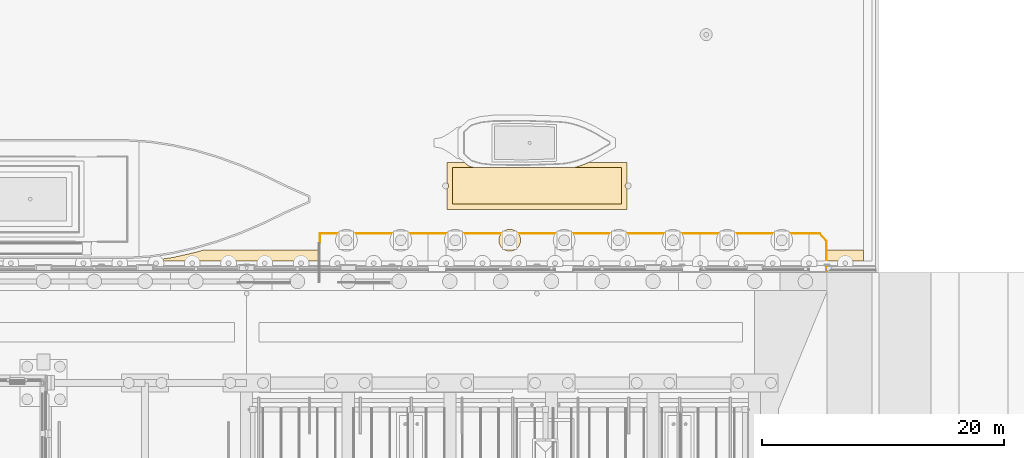
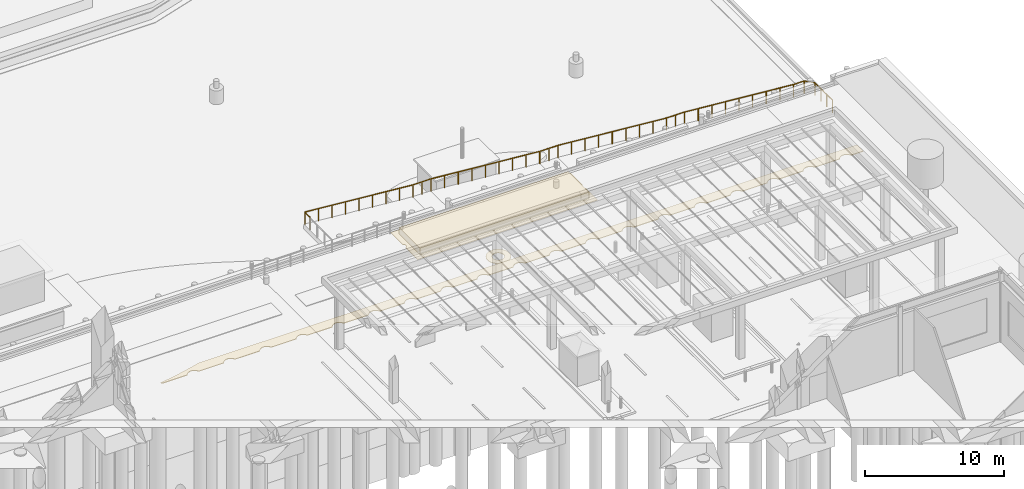
# One storey, part 202 of 222: 4 coverings, 1 railing.
"""IFC4 building model written with IfcOpenShell, lengths in metres."""

from ifc_helpers import new_model, si_unit, direction, frame, origin, origin_2d, place, context, subcontext, project, spatial, polyline, circle, outline, extrude, material, layer, layer_set, type_object, element, save


model = new_model("IFC4")

# Units and contexts
model_context = context("Model", 3, precision=1e-05, world=origin(), true_north=direction((0.0, 1.0)))
body_context = subcontext(model_context, "Body", "Model", "MODEL_VIEW")
ifc_project = project(units=[si_unit("LENGTHUNIT", "METRE"), si_unit("AREAUNIT", "SQUARE_METRE"), si_unit("VOLUMEUNIT", "CUBIC_METRE"), si_unit("PLANEANGLEUNIT", "RADIAN"), si_unit("MASSUNIT", "GRAM", prefix="KILO")], contexts=[model_context])

# Site, building, storey
site_placement = place(None, origin())
site = spatial("IfcSite", under=ifc_project, at=site_placement, CompositionType="ELEMENT")
building_placement = place(site_placement, origin())
building = spatial("IfcBuilding", under=site, at=building_placement, Name="Sava Quay Ferry Terminal", CompositionType="ELEMENT")
storey_placement = place(building_placement, origin())
storey = spatial("IfcBuildingStorey", under=building, at=storey_placement, Name="L00", CompositionType="ELEMENT", Elevation=0.0)

# Railing
ifc_material_1 = material(Name="Steel S355", Category="steel")
railing_type = type_object("IfcRailingType", Name="Edge guard 1100", PredefinedType="GUARDRAIL", material=ifc_material_1)
railing_placement = place(storey_placement, frame((132.050048828125, 120.800048828125, 0.0)))
element("IfcRailing", 1, at=railing_placement, inside=storey, type_object=railing_type, Name="Quay ramp river-side guard", PredefinedType="GUARDRAIL", context=body_context, shape_type="SweptSolid", body=[
    extrude(circle(Radius=0.02392578125, at=origin_2d()), frame((0.0, 0.0, 1.076171875), z_axis=(0.0, 1.0, 0.0), x_axis=(-1.0, 0.0, 0.0)), (0.0, 0.0, 1.0), 0.75),
    extrude(circle(Radius=0.02392578125, at=origin_2d()), frame((0.0, 0.75, 1.076171875), z_axis=(0.99650722018, 0.0, -0.083506647219), x_axis=(0.0, 1.0, 0.0)), (0.0, 0.0, 1.0), 8.981201171875),
    extrude(circle(Radius=0.02392578125, at=origin_2d()), frame((8.949951171875, 0.75, 0.326171875), z_axis=(1.0, 0.0, 0.0), x_axis=(0.0, 1.0, 0.0)), (0.0, 0.0, 1.0), 1.5),
    extrude(circle(Radius=0.02392578125, at=origin_2d()), frame((10.449951171875, 0.75, 0.326171875), z_axis=(0.996545758245, 0.0, -0.083045479854), x_axis=(0.0, 1.0, 0.0)), (0.0, 0.0, 1.0), 9.03125),
    extrude(circle(Radius=0.02392578125, at=origin_2d()), frame((19.449951171875, 0.75, -0.423828125), z_axis=(1.0, 0.0, 0.0), x_axis=(0.0, 1.0, 0.0)), (0.0, 0.0, 1.0), 1.5),
    extrude(circle(Radius=0.02392578125, at=origin_2d()), frame((20.949951171875, 0.75, -0.423828125), z_axis=(0.996545758245, 0.0, -0.083045479854), x_axis=(0.0, 1.0, 0.0)), (0.0, 0.0, 1.0), 9.03125),
    extrude(circle(Radius=0.02392578125, at=origin_2d()), frame((29.949951171875, 0.75, -1.173828125), z_axis=(1.0, 0.0, 0.0), x_axis=(0.0, 1.0, 0.0)), (0.0, 0.0, 1.0), 1.5),
    extrude(circle(Radius=0.02392578125, at=origin_2d()), frame((31.449951171875, 0.75, -1.173828125), z_axis=(0.996545758245, 0.0, -0.083045479854), x_axis=(0.0, 1.0, 0.0)), (0.0, 0.0, 1.0), 9.03125),
    extrude(circle(Radius=0.02392578125, at=origin_2d()), frame((40.449951171875, 0.75, -1.923828125), z_axis=(1.0, 0.0, 0.0), x_axis=(0.0, 1.0, 0.0)), (0.0, 0.0, 1.0), 0.89990234375),
    extrude(circle(Radius=0.02392578125, at=origin_2d()), frame((41.349853515625, 0.75, -1.923828125), z_axis=(0.675697466389, -0.737179037898, 0.0), x_axis=(0.737179037898, 0.675697466389, 0.0)), (0.0, 0.0, 1.0), 0.81396484375),
    extrude(circle(Radius=0.02392578125, at=origin_2d()), frame((41.89990234375, 0.14990234375, -1.923828125), z_axis=(0.0, -1.0, 0.0), x_axis=(1.0, 0.0, 0.0)), (0.0, 0.0, 1.0), 2.5),
    extrude(circle(Radius=0.02099609375, at=origin_2d()), origin(), (0.0, 0.0, 1.0), 1.052001953125),
    extrude(circle(Radius=0.02099609375, at=origin_2d()), frame((0.0, 0.75, 0.0)), (0.0, 0.0, 1.0), 1.052001953125),
    extrude(circle(Radius=0.02099609375, at=origin_2d()), frame((1.11865234375, 0.75, -0.09375)), (0.0, 0.0, 1.0), 1.052001953125),
    extrude(circle(Radius=0.02099609375, at=origin_2d()), frame((2.237548828125, 0.75, -0.1875)), (0.0, 0.0, 1.0), 1.052001953125),
    extrude(circle(Radius=0.02099609375, at=origin_2d()), frame((3.356201171875, 0.75, -0.28125)), (0.0, 0.0, 1.0), 1.052001953125),
    extrude(circle(Radius=0.02099609375, at=origin_2d()), frame((4.47509765625, 0.75, -0.375)), (0.0, 0.0, 1.0), 1.052001953125),
    extrude(circle(Radius=0.02099609375, at=origin_2d()), frame((5.59375, 0.75, -0.46875)), (0.0, 0.0, 1.0), 1.052001953125),
    extrude(circle(Radius=0.02099609375, at=origin_2d()), frame((6.71240234375, 0.75, -0.5625)), (0.0, 0.0, 1.0), 1.052001953125),
    extrude(circle(Radius=0.02099609375, at=origin_2d()), frame((7.831298828125, 0.75, -0.65625)), (0.0, 0.0, 1.0), 1.052001953125),
    extrude(circle(Radius=0.02099609375, at=origin_2d()), frame((8.949951171875, 0.75, -0.75)), (0.0, 0.0, 1.0), 1.052001953125),
    extrude(circle(Radius=0.02099609375, at=origin_2d()), frame((9.699951171875, 0.75, -0.75)), (0.0, 0.0, 1.0), 1.052001953125),
    extrude(circle(Radius=0.02099609375, at=origin_2d()), frame((10.449951171875, 0.75, -0.75)), (0.0, 0.0, 1.0), 1.052001953125),
    extrude(circle(Radius=0.02099609375, at=origin_2d()), frame((11.574951171875, 0.75, -0.84375)), (0.0, 0.0, 1.0), 1.052001953125),
    extrude(circle(Radius=0.02099609375, at=origin_2d()), frame((12.699951171875, 0.75, -0.9375)), (0.0, 0.0, 1.0), 1.052001953125),
    extrude(circle(Radius=0.02099609375, at=origin_2d()), frame((13.824951171875, 0.75, -1.03125)), (0.0, 0.0, 1.0), 1.052001953125),
    extrude(circle(Radius=0.02099609375, at=origin_2d()), frame((14.949951171875, 0.75, -1.125)), (0.0, 0.0, 1.0), 1.052001953125),
    extrude(circle(Radius=0.02099609375, at=origin_2d()), frame((16.074951171875, 0.75, -1.21875)), (0.0, 0.0, 1.0), 1.052001953125),
    extrude(circle(Radius=0.02099609375, at=origin_2d()), frame((17.199951171875, 0.75, -1.3125)), (0.0, 0.0, 1.0), 1.052001953125),
    extrude(circle(Radius=0.02099609375, at=origin_2d()), frame((18.324951171875, 0.75, -1.40625)), (0.0, 0.0, 1.0), 1.052001953125),
    extrude(circle(Radius=0.02099609375, at=origin_2d()), frame((19.449951171875, 0.75, -1.5)), (0.0, 0.0, 1.0), 1.052001953125),
    extrude(circle(Radius=0.02099609375, at=origin_2d()), frame((20.199951171875, 0.75, -1.5)), (0.0, 0.0, 1.0), 1.052001953125),
    extrude(circle(Radius=0.02099609375, at=origin_2d()), frame((20.949951171875, 0.75, -1.5)), (0.0, 0.0, 1.0), 1.052001953125),
    extrude(circle(Radius=0.02099609375, at=origin_2d()), frame((22.074951171875, 0.75, -1.59375)), (0.0, 0.0, 1.0), 1.052001953125),
    extrude(circle(Radius=0.02099609375, at=origin_2d()), frame((23.199951171875, 0.75, -1.6875)), (0.0, 0.0, 1.0), 1.052001953125),
    extrude(circle(Radius=0.02099609375, at=origin_2d()), frame((24.324951171875, 0.75, -1.78125)), (0.0, 0.0, 1.0), 1.052001953125),
    extrude(circle(Radius=0.02099609375, at=origin_2d()), frame((25.449951171875, 0.75, -1.875)), (0.0, 0.0, 1.0), 1.052001953125),
    extrude(circle(Radius=0.02099609375, at=origin_2d()), frame((26.574951171875, 0.75, -1.96875)), (0.0, 0.0, 1.0), 1.052001953125),
    extrude(circle(Radius=0.02099609375, at=origin_2d()), frame((27.699951171875, 0.75, -2.0625)), (0.0, 0.0, 1.0), 1.052001953125),
    extrude(circle(Radius=0.02099609375, at=origin_2d()), frame((28.824951171875, 0.75, -2.15625)), (0.0, 0.0, 1.0), 1.052001953125),
    extrude(circle(Radius=0.02099609375, at=origin_2d()), frame((29.949951171875, 0.75, -2.25)), (0.0, 0.0, 1.0), 1.052001953125),
    extrude(circle(Radius=0.02099609375, at=origin_2d()), frame((30.699951171875, 0.75, -2.25)), (0.0, 0.0, 1.0), 1.052001953125),
    extrude(circle(Radius=0.02099609375, at=origin_2d()), frame((31.449951171875, 0.75, -2.25)), (0.0, 0.0, 1.0), 1.052001953125),
    extrude(circle(Radius=0.02099609375, at=origin_2d()), frame((32.574951171875, 0.75, -2.34375)), (0.0, 0.0, 1.0), 1.052001953125),
    extrude(circle(Radius=0.02099609375, at=origin_2d()), frame((33.699951171875, 0.75, -2.4375)), (0.0, 0.0, 1.0), 1.052001953125),
    extrude(circle(Radius=0.02099609375, at=origin_2d()), frame((34.824951171875, 0.75, -2.53125)), (0.0, 0.0, 1.0), 1.052001953125),
    extrude(circle(Radius=0.02099609375, at=origin_2d()), frame((35.949951171875, 0.75, -2.625)), (0.0, 0.0, 1.0), 1.052001953125),
    extrude(circle(Radius=0.02099609375, at=origin_2d()), frame((37.074951171875, 0.75, -2.71875)), (0.0, 0.0, 1.0), 1.052001953125),
    extrude(circle(Radius=0.02099609375, at=origin_2d()), frame((38.199951171875, 0.75, -2.8125)), (0.0, 0.0, 1.0), 1.052001953125),
    extrude(circle(Radius=0.02099609375, at=origin_2d()), frame((39.324951171875, 0.75, -2.90625)), (0.0, 0.0, 1.0), 1.052001953125),
    extrude(circle(Radius=0.02099609375, at=origin_2d()), frame((40.449951171875, 0.75, -3.0)), (0.0, 0.0, 1.0), 1.052001953125),
    extrude(circle(Radius=0.02099609375, at=origin_2d()), frame((41.349853515625, 0.75, -3.0)), (0.0, 0.0, 1.0), 1.052001953125),
    extrude(circle(Radius=0.02099609375, at=origin_2d()), frame((41.89990234375, 0.14990234375, -3.0)), (0.0, 0.0, 1.0), 1.052001953125),
    extrude(circle(Radius=0.02099609375, at=origin_2d()), frame((41.89990234375, -0.683349609375, -3.0)), (0.0, 0.0, 1.0), 1.052001953125),
    extrude(circle(Radius=0.02099609375, at=origin_2d()), frame((41.89990234375, -1.516845703125, -3.0)), (0.0, 0.0, 1.0), 1.052001953125),
    extrude(circle(Radius=0.02099609375, at=origin_2d()), frame((41.89990234375, -2.35009765625, -3.0)), (0.0, 0.0, 1.0), 1.052001953125),
])

# Coverings
ifc_material_2 = material(Name="Aluminium", Category="aluminium")
ifc_layer_1 = layer(ifc_material_2, 0.60009765625)
ifc_layer_set_1 = layer_set([ifc_layer_1], Name="Aluminium")
covering_type_1 = type_object("IfcCoveringType", Name="Floating pontoon 600", PredefinedType="FLOORING", material=ifc_layer_set_1)
covering_1_placement = place(storey_placement, frame((0.0, 0.0, -8.0)))
element("IfcCovering", 2, at=covering_1_placement, inside=storey, type_object=covering_type_1, Name="Floating pontoon", PredefinedType="FLOORING", context=body_context, shape_type="SweptSolid", body=[
    extrude(outline(polyline([(157.0, 124.0), (157.0, 127.0), (143.0, 127.0), (143.0, 124.0), (157.0, 124.0)])), origin(), (0.0, 0.0, 1.0), 0.60009765625),
])
ifc_material_3 = material(Name="Water")
ifc_layer_2 = layer(ifc_material_3, 0.0400390625)
ifc_layer_set_2 = layer_set([ifc_layer_2], Name="Water")
covering_type_2 = type_object("IfcCoveringType", Name="River foam collar", PredefinedType="CLADDING", material=ifc_layer_set_2)
covering_2_placement = place(storey_placement, frame((0.0, 0.0, -8.0)))
element("IfcCovering", 3, at=covering_2_placement, inside=storey, type_object=covering_type_2, Name="River foam collar", PredefinedType="CLADDING", context=body_context, shape_type="SweptSolid", body=[
    extrude(outline(polyline([(157.410888671875, 125.7080078125), (157.449951171875, 125.72900390625), (157.449951171875, 127.449951171875), (154.31494140625, 127.449951171875), (154.10107421875, 127.35107421875), (153.5400390625, 127.138916015625), (153.05908203125, 127.0), (157.0, 127.0), (157.0, 124.0), (143.0, 124.0), (143.0, 127.0), (144.8330078125, 127.0), (144.341064453125, 127.14404296875), (144.0, 127.449951171875), (142.550048828125, 127.449951171875), (142.550048828125, 125.72900390625), (142.589111328125, 125.7080078125), (142.626953125, 125.677001953125), (142.657958984375, 125.638916015625), (142.680908203125, 125.595947265625), (142.695068359375, 125.549072265625), (142.699951171875, 125.5), (142.695068359375, 125.450927734375), (142.680908203125, 125.404052734375), (142.657958984375, 125.361083984375), (142.626953125, 125.322998046875), (142.589111328125, 125.2919921875), (142.550048828125, 125.27099609375), (142.550048828125, 123.550048828125), (157.449951171875, 123.550048828125), (157.449951171875, 125.27099609375), (157.410888671875, 125.2919921875), (157.373046875, 125.322998046875), (157.342041015625, 125.361083984375), (157.319091796875, 125.404052734375), (157.304931640625, 125.450927734375), (157.300048828125, 125.5), (157.304931640625, 125.549072265625), (157.319091796875, 125.595947265625), (157.342041015625, 125.638916015625), (157.373046875, 125.677001953125), (157.410888671875, 125.7080078125)])), origin(), (0.0, 0.0, 1.0), 0.0400390625),
])
covering_3_placement = place(storey_placement, frame((0.0, 0.0, -8.0)))
element("IfcCovering", 4, at=covering_3_placement, inside=storey, type_object=covering_type_2, Name="River foam collar", PredefinedType="CLADDING", context=body_context, shape_type="SweptSolid", body=[
    extrude(outline(polyline([(146.916015625, 120.655029296875), (147.0, 120.4990234375), (147.112060546875, 120.362060546875), (147.2490234375, 120.25), (147.405029296875, 120.166015625), (147.573974609375, 120.114990234375), (147.75, 120.097900390625), (147.926025390625, 120.114990234375), (148.094970703125, 120.166015625), (148.2509765625, 120.25), (148.387939453125, 120.362060546875), (148.5, 120.4990234375), (148.583984375, 120.655029296875), (148.635009765625, 120.823974609375), (148.652099609375, 121.0), (148.635009765625, 121.176025390625), (148.583984375, 121.344970703125), (148.5, 121.5009765625), (148.387939453125, 121.637939453125), (148.2509765625, 121.75), (148.094970703125, 121.833984375), (147.926025390625, 121.885009765625), (147.75, 121.902099609375), (147.573974609375, 121.885009765625), (147.405029296875, 121.833984375), (147.2490234375, 121.75), (147.112060546875, 121.637939453125), (147.0, 121.5009765625), (146.916015625, 121.344970703125), (146.864990234375, 121.176025390625), (146.847900390625, 121.0), (146.864990234375, 120.823974609375), (146.916015625, 120.655029296875)]), holes=[polyline([(147.333984375, 121.172119140625), (147.3759765625, 121.25), (147.431884765625, 121.318115234375), (147.5, 121.3740234375), (147.577880859375, 121.416015625), (147.662109375, 121.44091796875), (147.75, 121.449951171875), (147.837890625, 121.44091796875), (147.922119140625, 121.416015625), (148.0, 121.3740234375), (148.068115234375, 121.318115234375), (148.1240234375, 121.25), (148.166015625, 121.172119140625), (148.19091796875, 121.087890625), (148.199951171875, 121.0), (148.19091796875, 120.912109375), (148.166015625, 120.827880859375), (148.1240234375, 120.75), (148.068115234375, 120.681884765625), (148.0, 120.6259765625), (147.922119140625, 120.583984375), (147.837890625, 120.55908203125), (147.75, 120.550048828125), (147.662109375, 120.55908203125), (147.577880859375, 120.583984375), (147.5, 120.6259765625), (147.431884765625, 120.681884765625), (147.3759765625, 120.75), (147.333984375, 120.827880859375), (147.30908203125, 120.912109375), (147.300048828125, 121.0), (147.30908203125, 121.087890625), (147.333984375, 121.172119140625)])]), origin(), (0.0, 0.0, 1.0), 0.0400390625),
])
ifc_material_4 = material(Name="Water")
ifc_layer_3 = layer(ifc_material_4, 0.050048828125)
ifc_layer_set_3 = layer_set([ifc_layer_3], Name="Water")
covering_type_3 = type_object("IfcCoveringType", Name="River foam line", PredefinedType="CLADDING", material=ifc_layer_set_3)
covering_4_placement = place(storey_placement, frame((0.0, 0.0, -8.0)))
element("IfcCovering", 5, at=covering_4_placement, inside=storey, type_object=covering_type_3, Name="River foam line", PredefinedType="CLADDING", context=body_context, shape_type="SweptSolid", body=[
    extrude(outline(polyline([(177.0, 120.199951171875), (122.455078125, 120.199951171875), (121.821044921875, 120.011962890625), (119.93798828125, 119.5849609375), (118.87890625, 119.425048828125), (118.916015625, 119.3779296875), (118.930908203125, 119.35302734375), (118.9580078125, 119.300048828125), (121.0419921875, 119.300048828125), (121.069091796875, 119.35302734375), (121.083984375, 119.3779296875), (121.126953125, 119.431884765625), (121.14599609375, 119.4541015625), (121.16796875, 119.472900390625), (121.221923828125, 119.51611328125), (121.2470703125, 119.531005859375), (121.30908203125, 119.56201171875), (121.3740234375, 119.5830078125), (121.402099609375, 119.590087890625), (121.431884765625, 119.594970703125), (121.5, 119.60009765625), (121.568115234375, 119.594970703125), (121.597900390625, 119.590087890625), (121.6259765625, 119.5830078125), (121.69091796875, 119.56201171875), (121.7529296875, 119.531005859375), (121.778076171875, 119.51611328125), (121.83203125, 119.472900390625), (121.85400390625, 119.4541015625), (121.873046875, 119.431884765625), (121.916015625, 119.3779296875), (121.930908203125, 119.35302734375), (121.9580078125, 119.300048828125), (124.0419921875, 119.300048828125), (124.069091796875, 119.35302734375), (124.083984375, 119.3779296875), (124.126953125, 119.431884765625), (124.14599609375, 119.4541015625), (124.16796875, 119.472900390625), (124.221923828125, 119.51611328125), (124.2470703125, 119.531005859375), (124.30908203125, 119.56201171875), (124.3740234375, 119.5830078125), (124.402099609375, 119.590087890625), (124.431884765625, 119.594970703125), (124.5, 119.60009765625), (124.568115234375, 119.594970703125), (124.597900390625, 119.590087890625), (124.6259765625, 119.5830078125), (124.69091796875, 119.56201171875), (124.7529296875, 119.531005859375), (124.778076171875, 119.51611328125), (124.83203125, 119.472900390625), (124.85400390625, 119.4541015625), (124.873046875, 119.431884765625), (124.916015625, 119.3779296875), (124.930908203125, 119.35302734375), (124.9580078125, 119.300048828125), (127.0419921875, 119.300048828125), (127.069091796875, 119.35302734375), (127.083984375, 119.3779296875), (127.126953125, 119.431884765625), (127.14599609375, 119.4541015625), (127.16796875, 119.472900390625), (127.221923828125, 119.51611328125), (127.2470703125, 119.531005859375), (127.30908203125, 119.56201171875), (127.3740234375, 119.5830078125), (127.402099609375, 119.590087890625), (127.431884765625, 119.594970703125), (127.5, 119.60009765625), (127.568115234375, 119.594970703125), (127.597900390625, 119.590087890625), (127.6259765625, 119.5830078125), (127.69091796875, 119.56201171875), (127.7529296875, 119.531005859375), (127.778076171875, 119.51611328125), (127.83203125, 119.472900390625), (127.85400390625, 119.4541015625), (127.873046875, 119.431884765625), (127.916015625, 119.3779296875), (127.930908203125, 119.35302734375), (127.9580078125, 119.300048828125), (130.0419921875, 119.300048828125), (130.069091796875, 119.35302734375), (130.083984375, 119.3779296875), (130.126953125, 119.431884765625), (130.14599609375, 119.4541015625), (130.16796875, 119.472900390625), (130.221923828125, 119.51611328125), (130.2470703125, 119.531005859375), (130.30908203125, 119.56201171875), (130.3740234375, 119.5830078125), (130.402099609375, 119.590087890625), (130.431884765625, 119.594970703125), (130.5, 119.60009765625), (130.568115234375, 119.594970703125), (130.597900390625, 119.590087890625), (130.6259765625, 119.5830078125), (130.69091796875, 119.56201171875), (130.7529296875, 119.531005859375), (130.778076171875, 119.51611328125), (130.83203125, 119.472900390625), (130.85400390625, 119.4541015625), (130.873046875, 119.431884765625), (130.916015625, 119.3779296875), (130.930908203125, 119.35302734375), (130.9580078125, 119.300048828125), (133.0419921875, 119.300048828125), (133.069091796875, 119.35302734375), (133.083984375, 119.3779296875), (133.126953125, 119.431884765625), (133.14599609375, 119.4541015625), (133.16796875, 119.472900390625), (133.221923828125, 119.51611328125), (133.2470703125, 119.531005859375), (133.30908203125, 119.56201171875), (133.3740234375, 119.5830078125), (133.402099609375, 119.590087890625), (133.431884765625, 119.594970703125), (133.5, 119.60009765625), (133.568115234375, 119.594970703125), (133.597900390625, 119.590087890625), (133.6259765625, 119.5830078125), (133.69091796875, 119.56201171875), (133.7529296875, 119.531005859375), (133.778076171875, 119.51611328125), (133.83203125, 119.472900390625), (133.85400390625, 119.4541015625), (133.873046875, 119.431884765625), (133.916015625, 119.3779296875), (133.930908203125, 119.35302734375), (133.9580078125, 119.300048828125), (136.0419921875, 119.300048828125), (136.069091796875, 119.35302734375), (136.083984375, 119.3779296875), (136.126953125, 119.431884765625), (136.14599609375, 119.4541015625), (136.16796875, 119.472900390625), (136.221923828125, 119.51611328125), (136.2470703125, 119.531005859375), (136.30908203125, 119.56201171875), (136.3740234375, 119.5830078125), (136.402099609375, 119.590087890625), (136.431884765625, 119.594970703125), (136.5, 119.60009765625), (136.568115234375, 119.594970703125), (136.597900390625, 119.590087890625), (136.6259765625, 119.5830078125), (136.69091796875, 119.56201171875), (136.7529296875, 119.531005859375), (136.778076171875, 119.51611328125), (136.83203125, 119.472900390625), (136.85400390625, 119.4541015625), (136.873046875, 119.431884765625), (136.916015625, 119.3779296875), (136.930908203125, 119.35302734375), (136.9580078125, 119.300048828125), (139.0419921875, 119.300048828125), (139.069091796875, 119.35302734375), (139.083984375, 119.3779296875), (139.126953125, 119.431884765625), (139.14599609375, 119.4541015625), (139.16796875, 119.472900390625), (139.221923828125, 119.51611328125), (139.2470703125, 119.531005859375), (139.30908203125, 119.56201171875), (139.3740234375, 119.5830078125), (139.402099609375, 119.590087890625), (139.431884765625, 119.594970703125), (139.5, 119.60009765625), (139.568115234375, 119.594970703125), (139.597900390625, 119.590087890625), (139.6259765625, 119.5830078125), (139.69091796875, 119.56201171875), (139.7529296875, 119.531005859375), (139.778076171875, 119.51611328125), (139.83203125, 119.472900390625), (139.85400390625, 119.4541015625), (139.873046875, 119.431884765625), (139.916015625, 119.3779296875), (139.930908203125, 119.35302734375), (139.9580078125, 119.300048828125), (142.0419921875, 119.300048828125), (142.069091796875, 119.35302734375), (142.083984375, 119.3779296875), (142.126953125, 119.431884765625), (142.14599609375, 119.4541015625), (142.16796875, 119.472900390625), (142.221923828125, 119.51611328125), (142.2470703125, 119.531005859375), (142.30908203125, 119.56201171875), (142.3740234375, 119.5830078125), (142.402099609375, 119.590087890625), (142.431884765625, 119.594970703125), (142.5, 119.60009765625), (142.568115234375, 119.594970703125), (142.597900390625, 119.590087890625), (142.6259765625, 119.5830078125), (142.69091796875, 119.56201171875), (142.7529296875, 119.531005859375), (142.778076171875, 119.51611328125), (142.83203125, 119.472900390625), (142.85400390625, 119.4541015625), (142.873046875, 119.431884765625), (142.916015625, 119.3779296875), (142.930908203125, 119.35302734375), (142.9580078125, 119.300048828125), (145.0419921875, 119.300048828125), (145.069091796875, 119.35302734375), (145.083984375, 119.3779296875), (145.126953125, 119.431884765625), (145.14599609375, 119.4541015625), (145.16796875, 119.472900390625), (145.221923828125, 119.51611328125), (145.2470703125, 119.531005859375), (145.30908203125, 119.56201171875), (145.3740234375, 119.5830078125), (145.402099609375, 119.590087890625), (145.431884765625, 119.594970703125), (145.5, 119.60009765625), (145.568115234375, 119.594970703125), (145.597900390625, 119.590087890625), (145.6259765625, 119.5830078125), (145.69091796875, 119.56201171875), (145.7529296875, 119.531005859375), (145.778076171875, 119.51611328125), (145.83203125, 119.472900390625), (145.85400390625, 119.4541015625), (145.873046875, 119.431884765625), (145.916015625, 119.3779296875), (145.930908203125, 119.35302734375), (145.9580078125, 119.300048828125), (148.0419921875, 119.300048828125), (148.069091796875, 119.35302734375), (148.083984375, 119.3779296875), (148.126953125, 119.431884765625), (148.14599609375, 119.4541015625), (148.16796875, 119.472900390625), (148.221923828125, 119.51611328125), (148.2470703125, 119.531005859375), (148.30908203125, 119.56201171875), (148.3740234375, 119.5830078125), (148.402099609375, 119.590087890625), (148.431884765625, 119.594970703125), (148.5, 119.60009765625), (148.568115234375, 119.594970703125), (148.597900390625, 119.590087890625), (148.6259765625, 119.5830078125), (148.69091796875, 119.56201171875), (148.7529296875, 119.531005859375), (148.778076171875, 119.51611328125), (148.83203125, 119.472900390625), (148.85400390625, 119.4541015625), (148.873046875, 119.431884765625), (148.916015625, 119.3779296875), (148.930908203125, 119.35302734375), (148.9580078125, 119.300048828125), (151.0419921875, 119.300048828125), (151.069091796875, 119.35302734375), (151.083984375, 119.3779296875), (151.126953125, 119.431884765625), (151.14599609375, 119.4541015625), (151.16796875, 119.472900390625), (151.221923828125, 119.51611328125), (151.2470703125, 119.531005859375), (151.30908203125, 119.56201171875), (151.3740234375, 119.5830078125), (151.402099609375, 119.590087890625), (151.431884765625, 119.594970703125), (151.5, 119.60009765625), (151.568115234375, 119.594970703125), (151.597900390625, 119.590087890625), (151.6259765625, 119.5830078125), (151.69091796875, 119.56201171875), (151.7529296875, 119.531005859375), (151.778076171875, 119.51611328125), (151.83203125, 119.472900390625), (151.85400390625, 119.4541015625), (151.873046875, 119.431884765625), (151.916015625, 119.3779296875), (151.930908203125, 119.35302734375), (151.9580078125, 119.300048828125), (154.0419921875, 119.300048828125), (154.069091796875, 119.35302734375), (154.083984375, 119.3779296875), (154.126953125, 119.431884765625), (154.14599609375, 119.4541015625), (154.16796875, 119.472900390625), (154.221923828125, 119.51611328125), (154.2470703125, 119.531005859375), (154.30908203125, 119.56201171875), (154.3740234375, 119.5830078125), (154.402099609375, 119.590087890625), (154.431884765625, 119.594970703125), (154.5, 119.60009765625), (154.568115234375, 119.594970703125), (154.597900390625, 119.590087890625), (154.6259765625, 119.5830078125), (154.69091796875, 119.56201171875), (154.7529296875, 119.531005859375), (154.778076171875, 119.51611328125), (154.83203125, 119.472900390625), (154.85400390625, 119.4541015625), (154.873046875, 119.431884765625), (154.916015625, 119.3779296875), (154.930908203125, 119.35302734375), (154.9580078125, 119.300048828125), (157.0419921875, 119.300048828125), (157.069091796875, 119.35302734375), (157.083984375, 119.3779296875), (157.126953125, 119.431884765625), (157.14599609375, 119.4541015625), (157.16796875, 119.472900390625), (157.221923828125, 119.51611328125), (157.2470703125, 119.531005859375), (157.30908203125, 119.56201171875), (157.3740234375, 119.5830078125), (157.402099609375, 119.590087890625), (157.431884765625, 119.594970703125), (157.5, 119.60009765625), (157.568115234375, 119.594970703125), (157.597900390625, 119.590087890625), (157.6259765625, 119.5830078125), (157.69091796875, 119.56201171875), (157.7529296875, 119.531005859375), (157.778076171875, 119.51611328125), (157.83203125, 119.472900390625), (157.85400390625, 119.4541015625), (157.873046875, 119.431884765625), (157.916015625, 119.3779296875), (157.930908203125, 119.35302734375), (157.9580078125, 119.300048828125), (160.0419921875, 119.300048828125), (160.069091796875, 119.35302734375), (160.083984375, 119.3779296875), (160.126953125, 119.431884765625), (160.14599609375, 119.4541015625), (160.16796875, 119.472900390625), (160.221923828125, 119.51611328125), (160.2470703125, 119.531005859375), (160.30908203125, 119.56201171875), (160.3740234375, 119.5830078125), (160.402099609375, 119.590087890625), (160.431884765625, 119.594970703125), (160.5, 119.60009765625), (160.568115234375, 119.594970703125), (160.597900390625, 119.590087890625), (160.6259765625, 119.5830078125), (160.69091796875, 119.56201171875), (160.7529296875, 119.531005859375), (160.778076171875, 119.51611328125), (160.83203125, 119.472900390625), (160.85400390625, 119.4541015625), (160.873046875, 119.431884765625), (160.916015625, 119.3779296875), (160.930908203125, 119.35302734375), (160.9580078125, 119.300048828125), (163.0419921875, 119.300048828125), (163.069091796875, 119.35302734375), (163.083984375, 119.3779296875), (163.126953125, 119.431884765625), (163.14599609375, 119.4541015625), (163.16796875, 119.472900390625), (163.221923828125, 119.51611328125), (163.2470703125, 119.531005859375), (163.30908203125, 119.56201171875), (163.3740234375, 119.5830078125), (163.402099609375, 119.590087890625), (163.431884765625, 119.594970703125), (163.5, 119.60009765625), (163.568115234375, 119.594970703125), (163.597900390625, 119.590087890625), (163.6259765625, 119.5830078125), (163.69091796875, 119.56201171875), (163.7529296875, 119.531005859375), (163.778076171875, 119.51611328125), (163.83203125, 119.472900390625), (163.85400390625, 119.4541015625), (163.873046875, 119.431884765625), (163.916015625, 119.3779296875), (163.930908203125, 119.35302734375), (163.9580078125, 119.300048828125), (166.0419921875, 119.300048828125), (166.069091796875, 119.35302734375), (166.083984375, 119.3779296875), (166.126953125, 119.431884765625), (166.14599609375, 119.4541015625), (166.16796875, 119.472900390625), (166.221923828125, 119.51611328125), (166.2470703125, 119.531005859375), (166.30908203125, 119.56201171875), (166.3740234375, 119.5830078125), (166.402099609375, 119.590087890625), (166.431884765625, 119.594970703125), (166.5, 119.60009765625), (166.568115234375, 119.594970703125), (166.597900390625, 119.590087890625), (166.6259765625, 119.5830078125), (166.69091796875, 119.56201171875), (166.7529296875, 119.531005859375), (166.778076171875, 119.51611328125), (166.83203125, 119.472900390625), (166.85400390625, 119.4541015625), (166.873046875, 119.431884765625), (166.916015625, 119.3779296875), (166.930908203125, 119.35302734375), (166.9580078125, 119.300048828125), (169.0419921875, 119.300048828125), (169.069091796875, 119.35302734375), (169.083984375, 119.3779296875), (169.126953125, 119.431884765625), (169.14599609375, 119.4541015625), (169.16796875, 119.472900390625), (169.221923828125, 119.51611328125), (169.2470703125, 119.531005859375), (169.30908203125, 119.56201171875), (169.3740234375, 119.5830078125), (169.402099609375, 119.590087890625), (169.431884765625, 119.594970703125), (169.5, 119.60009765625), (169.568115234375, 119.594970703125), (169.597900390625, 119.590087890625), (169.6259765625, 119.5830078125), (169.69091796875, 119.56201171875), (169.7529296875, 119.531005859375), (169.778076171875, 119.51611328125), (169.83203125, 119.472900390625), (169.85400390625, 119.4541015625), (169.873046875, 119.431884765625), (169.916015625, 119.3779296875), (169.930908203125, 119.35302734375), (169.9580078125, 119.300048828125), (172.0419921875, 119.300048828125), (172.069091796875, 119.35302734375), (172.083984375, 119.3779296875), (172.126953125, 119.431884765625), (172.14599609375, 119.4541015625), (172.16796875, 119.472900390625), (172.221923828125, 119.51611328125), (172.2470703125, 119.531005859375), (172.30908203125, 119.56201171875), (172.3740234375, 119.5830078125), (172.402099609375, 119.590087890625), (172.431884765625, 119.594970703125), (172.5, 119.60009765625), (172.568115234375, 119.594970703125), (172.597900390625, 119.590087890625), (172.6259765625, 119.5830078125), (172.69091796875, 119.56201171875), (172.7529296875, 119.531005859375), (172.778076171875, 119.51611328125), (172.83203125, 119.472900390625), (172.85400390625, 119.4541015625), (172.873046875, 119.431884765625), (172.916015625, 119.3779296875), (172.930908203125, 119.35302734375), (172.9580078125, 119.300048828125), (175.0419921875, 119.300048828125), (175.069091796875, 119.35302734375), (175.083984375, 119.3779296875), (175.126953125, 119.431884765625), (175.14599609375, 119.4541015625), (175.16796875, 119.472900390625), (175.221923828125, 119.51611328125), (175.2470703125, 119.531005859375), (175.30908203125, 119.56201171875), (175.3740234375, 119.5830078125), (175.402099609375, 119.590087890625), (175.431884765625, 119.594970703125), (175.5, 119.60009765625), (175.568115234375, 119.594970703125), (175.597900390625, 119.590087890625), (175.6259765625, 119.5830078125), (175.69091796875, 119.56201171875), (175.7529296875, 119.531005859375), (175.778076171875, 119.51611328125), (175.83203125, 119.472900390625), (175.85400390625, 119.4541015625), (175.873046875, 119.431884765625), (175.916015625, 119.3779296875), (175.930908203125, 119.35302734375), (175.9580078125, 119.300048828125), (177.0, 119.300048828125), (177.0, 120.199951171875)])), origin(), (0.0, 0.0, 1.0), 0.050048828125),
])

save(model, "model.ifc")
